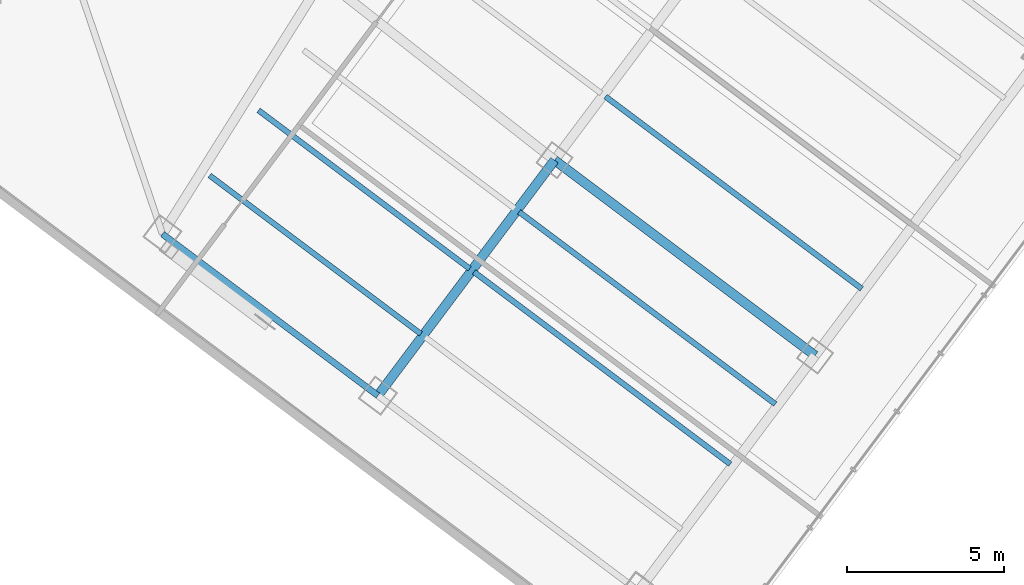
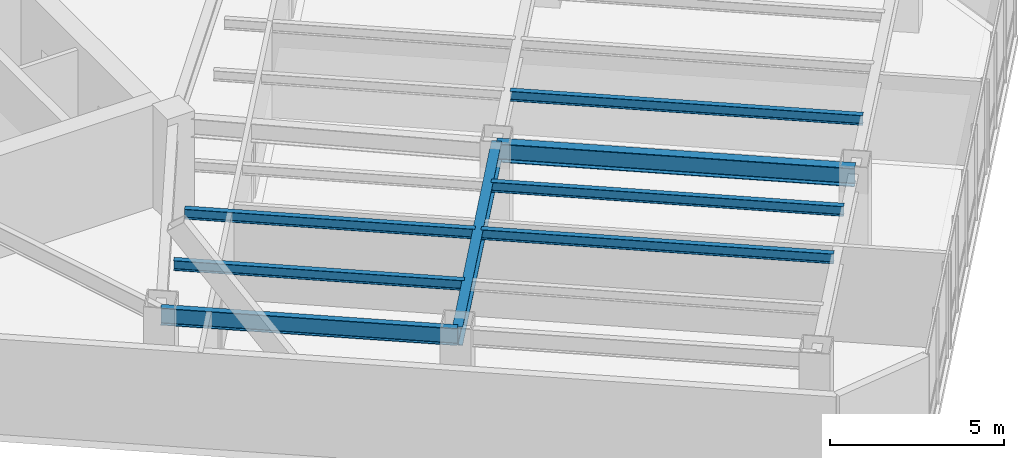
# One storey, part 7 of 30: 8 beams.
"""IFC4 building model written with IfcOpenShell, lengths in metres."""

from ifc_helpers import new_model, si_unit, direction, frame, origin, origin_2d, place, context, subcontext, project, spatial, i_section, extrude, material, material_profile, profile_set, type_object, element, save


model = new_model("IFC4")

# Units and contexts
model_context = context("Model", 3, precision=1e-05, world=origin(), true_north=direction((0.0, 1.0)))
body_context = subcontext(model_context, "Body", "Model", "MODEL_VIEW")
ifc_project = project(units=[si_unit("LENGTHUNIT", "METRE"), si_unit("AREAUNIT", "SQUARE_METRE"), si_unit("VOLUMEUNIT", "CUBIC_METRE"), si_unit("PLANEANGLEUNIT", "RADIAN"), si_unit("MASSUNIT", "GRAM", prefix="KILO")], contexts=[model_context])

# Site, building, storey
site_placement = place(None, origin())
site = spatial("IfcSite", under=ifc_project, at=site_placement, CompositionType="ELEMENT")
building_placement = place(site_placement, origin())
building = spatial("IfcBuilding", under=site, at=building_placement, Name="Hatsunagi Terrace Concourse", CompositionType="ELEMENT")
storey_placement = place(building_placement, frame((0.0, 0.0, 101.25)))
storey = spatial("IfcBuildingStorey", under=building, at=storey_placement, Name="L26", CompositionType="ELEMENT", Elevation=101.25)

# Beams
ifc_material_1 = material(Name="Steel SN490B", Category="steel")
ifc_material_profile_1 = material_profile(ifc_material_1, i_section(OverallWidth=0.175048828125, OverallDepth=0.35009765625, WebThickness=0.007080078125, FlangeThickness=0.010986328125, FilletRadius=0.012939453125, at=origin_2d()), Name="H-350x175x7x11")
ifc_profile_set_1 = profile_set([ifc_material_profile_1], Name="Steel SN490B")
beam_type_1 = type_object("IfcBeamType", Name="HotelJoist_H_350x175", PredefinedType="JOIST", material=ifc_profile_set_1)
for number, where, z_axis, x_axis, name in (
    (1, (40.18798828125, 17.908935546875, 3.175048828125), (0.800003475366, -0.59999536615, 0.0), (0.59999536615, 0.800003475366, 0.0), "Beam J-02 J-L26-SE-2-46"),
    (2, (41.748046875, 19.989013671875, 3.175048828125), (0.799989573921, -0.600013901187, 0.0), (0.600013901187, 0.799989573921, 0.0), "Beam J-02 J-L26-SE-2-72"),
):
    element("IfcBeam", number, at=place(storey_placement, frame(where, z_axis=z_axis, x_axis=x_axis)), inside=storey, type_object=beam_type_1, Name=name, PredefinedType="JOIST", context=body_context, shape_type="SweptSolid", body=[
        extrude(i_section(OverallWidth=0.175048828125, OverallDepth=0.35009765625, WebThickness=0.007080078125, FlangeThickness=0.010986328125, FilletRadius=0.012939453125, at=origin_2d()), origin(), (0.0, 0.0, 1.0), 8.429931640625),
    ])
beam_1_placement = place(storey_placement, frame((48.6279296875, 14.8291015625, 3.175048828125), z_axis=(0.799994272423, -0.600007636694, 0.0), x_axis=(0.600007636694, 0.799994272423, 0.0)))
element("IfcBeam", 3, at=beam_1_placement, inside=storey, type_object=beam_type_1, Name="Beam J-02 J-L26-SE-3-72", PredefinedType="JOIST", context=body_context, shape_type="SweptSolid", body=[
    extrude(i_section(OverallWidth=0.175048828125, OverallDepth=0.35009765625, WebThickness=0.007080078125, FlangeThickness=0.010986328125, FilletRadius=0.012939453125, at=origin_2d()), origin(), (0.0, 0.0, 1.0), 10.230224609375),
])
beam_2_placement = place(storey_placement, frame((50.068115234375, 16.7490234375, 3.175048828125), z_axis=(0.799997136125, -0.600003818481, 0.0), x_axis=(0.600003818481, 0.799997136125, 0.0)))
element("IfcBeam", 4, at=beam_2_placement, inside=storey, type_object=beam_type_1, Name="Beam J-02 J-L26-SE-3-96", PredefinedType="JOIST", context=body_context, shape_type="SweptSolid", body=[
    extrude(i_section(OverallWidth=0.175048828125, OverallDepth=0.35009765625, WebThickness=0.007080078125, FlangeThickness=0.010986328125, FilletRadius=0.012939453125, at=origin_2d()), origin(), (0.0, 0.0, 1.0), 10.229736328125),
])
beam_3_placement = place(storey_placement, frame((52.827880859375, 20.428955078125, 3.175048828125), z_axis=(0.800005727586, -0.599992363142, 0.0), x_axis=(0.599992363142, 0.800005727586, 0.0)))
element("IfcBeam", 5, at=beam_3_placement, inside=storey, type_object=beam_type_1, Name="Beam J-02 J-L26-SE-3-142", PredefinedType="JOIST", context=body_context, shape_type="SweptSolid", body=[
    extrude(i_section(OverallWidth=0.175048828125, OverallDepth=0.35009765625, WebThickness=0.007080078125, FlangeThickness=0.010986328125, FilletRadius=0.012939453125, at=origin_2d()), origin(), (0.0, 0.0, 1.0), 10.22998046875),
])
ifc_material_2 = material(Name="Steel SN490B", Category="steel")
ifc_material_profile_2 = material_profile(ifc_material_2, i_section(OverallWidth=0.300048828125, OverallDepth=0.64990234375, WebThickness=0.012939453125, FlangeThickness=0.02197265625, FilletRadius=0.01806640625, at=origin_2d()), Name="H-650x300x13x22")
ifc_profile_set_2 = profile_set([ifc_material_profile_2], Name="Steel SN490B")
beam_type_2 = type_object("IfcBeamType", Name="OfficeLowGirder_H_650x300", PredefinedType="BEAM", material=ifc_profile_set_2)
beam_4_placement = place(storey_placement, frame((45.56005859375, 10.8798828125, 3.02490234375), z_axis=(0.599991688754, 0.800006233367, 0.0), x_axis=(-0.800006233367, 0.599991688754, 0.0)))
element("IfcBeam", 6, at=beam_4_placement, inside=storey, type_object=beam_type_2, Name="Beam G-05 BM-L26-SET-2A", PredefinedType="BEAM", context=body_context, shape_type="SweptSolid", body=[
    extrude(i_section(OverallWidth=0.300048828125, OverallDepth=0.64990234375, WebThickness=0.012939453125, FlangeThickness=0.02197265625, FilletRadius=0.01806640625, at=origin_2d()), origin(), (0.0, 0.0, 1.0), 9.39990234375),
])
beam_5_placement = place(storey_placement, frame((51.199951171875, 18.39990234375, 3.02490234375), z_axis=(0.800002816985, -0.599996244001, 0.0), x_axis=(0.599996244001, 0.800002816985, 0.0)))
element("IfcBeam", 7, at=beam_5_placement, inside=storey, type_object=beam_type_2, Name="Beam G-05 BM-L26-SE-M3", PredefinedType="BEAM", context=body_context, shape_type="SweptSolid", body=[
    extrude(i_section(OverallWidth=0.300048828125, OverallDepth=0.64990234375, WebThickness=0.012939453125, FlangeThickness=0.02197265625, FilletRadius=0.01806640625, at=origin_2d()), origin(), (0.0, 0.0, 1.0), 10.400146484375),
])
ifc_material_3 = material(Name="Steel SN490B", Category="steel")
ifc_material_profile_3 = material_profile(ifc_material_3, i_section(OverallWidth=0.199951171875, OverallDepth=0.60009765625, WebThickness=0.010986328125, FlangeThickness=0.01708984375, FilletRadius=0.01806640625, at=origin_2d()), Name="H-600x200x11x17")
ifc_profile_set_3 = profile_set([ifc_material_profile_3], Name="Steel SN490B")
beam_type_3 = type_object("IfcBeamType", Name="PerimeterSpandrel_H_600x200", PredefinedType="SPANDREL", material=ifc_profile_set_3)
beam_6_placement = place(storey_placement, frame((38.679931640625, 16.0400390625, 3.050048828125), z_axis=(0.799996593451, -0.600004542038, 0.0), x_axis=(0.600004542038, 0.799996593451, 0.0)))
element("IfcBeam", 8, at=beam_6_placement, inside=storey, type_object=beam_type_3, Name="Beam SP-01 BM-L26-SE-SW2", PredefinedType="SPANDREL", context=body_context, shape_type="SweptSolid", body=[
    extrude(i_section(OverallWidth=0.199951171875, OverallDepth=0.60009765625, WebThickness=0.010986328125, FlangeThickness=0.01708984375, FilletRadius=0.01806640625, at=origin_2d()), origin(), (0.0, 0.0, 1.0), 8.60009765625),
])

save(model, "model.ifc")
